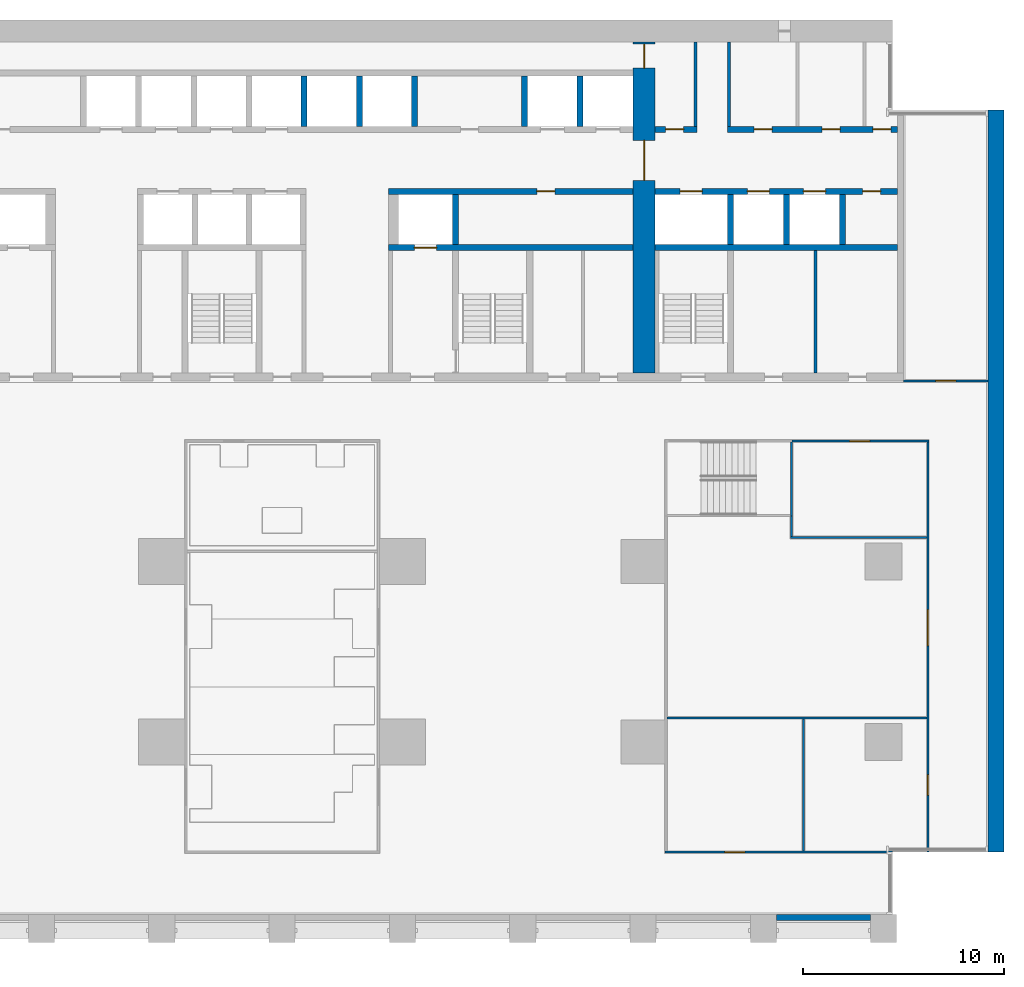
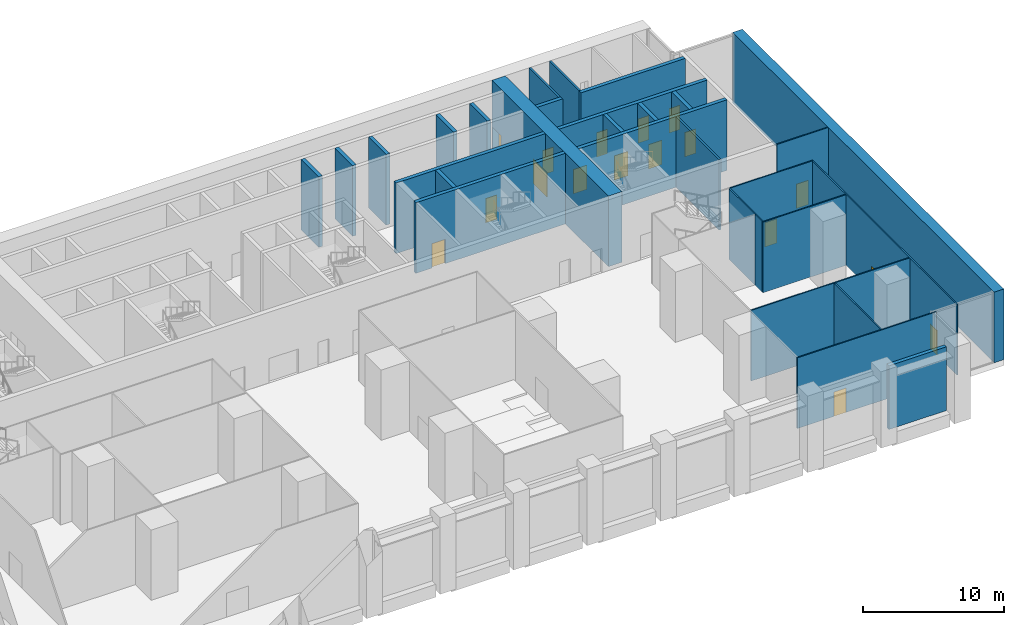
# One storey, part 11 of 18: 30 walls, 17 doors, 17 openings.
"""IFC4 building model written with IfcOpenShell, lengths in metres."""

from ifc_helpers import new_model, si_unit, direction, frame, frame_2d, origin, place, context, subcontext, project, spatial, rectangle, extrude, material, layer, layer_set, type_object, element, fill, save


model = new_model("IFC4")

# Units and contexts
model_context = context("Model", 3, precision=1e-05, world=origin(), true_north=direction((0.0, 1.0)))
body_context = subcontext(model_context, "Body", "Model", "MODEL_VIEW")
ifc_project = project(units=[si_unit("LENGTHUNIT", "METRE"), si_unit("AREAUNIT", "SQUARE_METRE"), si_unit("VOLUMEUNIT", "CUBIC_METRE"), si_unit("PLANEANGLEUNIT", "RADIAN"), si_unit("MASSUNIT", "GRAM", prefix="KILO")], contexts=[model_context])

# Site, building, storey
site_placement = place(None, origin())
site = spatial("IfcSite", under=ifc_project, at=site_placement, CompositionType="ELEMENT")
building_placement = place(site_placement, origin())
building = spatial("IfcBuilding", under=site, at=building_placement, Name="Calvaro Tower", CompositionType="ELEMENT")
storey_placement = place(building_placement, frame((0.0, 0.0, 11.300048828125)))
storey = spatial("IfcBuildingStorey", under=building, at=storey_placement, Name="L02", CompositionType="ELEMENT", Elevation=11.300048828125)

# Walls
ifc_material_1 = material(Name="Blockwork partition", Category="masonry")
ifc_layer_1 = layer(ifc_material_1, 0.14990234375)
ifc_layer_set_1 = layer_set([ifc_layer_1], Name="Blockwork partition")
wall_type_1 = type_object("IfcWallType", Name="Core partition 150 EI 60", PredefinedType="PARTITIONING", material=ifc_layer_set_1)
wall_1_placement = place(storey_placement, frame((68.60009765625, 28.39990234375, 0.0), z_axis=(0.0, 0.0, 1.0), x_axis=(0.0, 1.0, 0.0)))
element("IfcWall", 1, at=wall_1_placement, inside=storey, type_object=wall_type_1, Name="Core partition", PredefinedType="PARTITIONING", context=body_context, shape_type="SweptSolid", body=[
    extrude(rectangle(XDim=6.10009765625, YDim=0.14990234375, at=frame_2d((3.050048828125, 0.0))), origin(), (0.0, 0.0, 1.0), 6.099853515625),
])
ifc_material_2 = material(Name="Blockwork partition", Category="masonry")
ifc_layer_2 = layer(ifc_material_2, 0.14990234375)
ifc_layer_set_2 = layer_set([ifc_layer_2], Name="Blockwork partition")
wall_type_2 = type_object("IfcWallType", Name="Core partition 150 REI 120", PredefinedType="PARTITIONING", material=ifc_layer_set_2)
for number, where, z_axis, x_axis, name in (
    (2, (62.625, 40.699951171875, 0.0), (0.0, 0.0, 1.0), (0.0, 1.0, 0.0), "Core partition"),
    (3, (64.27490234375, 40.699951171875, 0.0), (0.0, 0.0, 1.0), (0.0, 1.0, 0.0), "Core partition"),
):
    element("IfcWall", number, at=place(storey_placement, frame(where, z_axis=z_axis, x_axis=x_axis)), inside=storey, type_object=wall_type_2, Name=name, PredefinedType="PARTITIONING", context=body_context, shape_type="SweptSolid", body=[
        extrude(rectangle(XDim=4.199951171875, YDim=0.14990234375, at=frame_2d((2.10009765625, 0.0))), origin(), (0.0, 0.0, 1.0), 6.099853515625),
    ])

# Wall, opening, door
ifc_material_3 = material(Name="Blockwork partition", Category="masonry")
ifc_layer_3 = layer(ifc_material_3, 0.300048828125)
ifc_layer_set_3 = layer_set([ifc_layer_3], Name="Blockwork partition")
wall_type_3 = type_object("IfcWallType", Name="Core partition 300 REI 120", PredefinedType="PARTITIONING", material=ifc_layer_set_3)
wall_2_placement = place(storey_placement, frame((60.60009765625, 40.550048828125, 0.0), z_axis=(0.0, 0.0, 1.0), x_axis=(1.0, 0.0, 0.0)))
wall_2 = element("IfcWall", 4, at=wall_2_placement, inside=storey, type_object=wall_type_3, Name="Core partition", PredefinedType="PARTITIONING", context=body_context, shape_type="SweptSolid", body=[
    extrude(rectangle(XDim=2.099853515625, YDim=0.300048828125, at=frame_2d((1.0498046875, 0.0))), origin(), (0.0, 0.0, 1.0), 6.099853515625),
])
opening_1_placement = place(wall_2_placement, frame((0.52490234375, 0.0, 0.0)))
opening_1 = element("IfcOpeningElement", 5, at=opening_1_placement, cuts=wall_2, Name="Opening RD9E", PredefinedType="OPENING", context=body_context, shape_type="SweptSolid", body=[
    extrude(rectangle(XDim=0.89990234375, YDim=2.10009765625, at=frame_2d((0.449951171875, 1.050048828125))), frame((0.0, 0.159912109375, 0.0), z_axis=(0.0, -1.0, 0.0), x_axis=(1.0, 0.0, 0.0)), (0.0, 0.0, 1.0), 0.320068359375),
])
ifc_material_4 = material(Name="Steel door set", Category="steel")
door_type_1 = type_object("IfcDoorType", Name="Room door 900 FD60", OperationType="SINGLE_SWING_LEFT", PredefinedType="DOOR", material=ifc_material_4)
door_1_placement = place(opening_1_placement, origin())
door_1 = element("IfcDoor", 6, at=door_1_placement, inside=storey, type_object=door_type_1, Name="Room door", OperationType="SINGLE_SWING_RIGHT", OverallHeight=2.10009765625, OverallWidth=0.89990234375, PredefinedType="DOOR", context=body_context, shape_type="SweptSolid", body=[
    extrude(rectangle(XDim=0.89990234375, YDim=2.10009765625, at=frame_2d((0.449951171875, 1.050048828125))), frame((0.0, 0.02490234375, 0.0), z_axis=(0.0, -1.0, 0.0), x_axis=(1.0, 0.0, 0.0)), (0.0, 0.0, 1.0), 0.050048828125),
])
fill(opening_1, door_1)

# Wall, openings, doors
wall_3_placement = place(storey_placement, frame((64.199951171875, 40.550048828125, 0.0), z_axis=(0.0, 0.0, 1.0), x_axis=(1.0, 0.0, 0.0)))
wall_3 = element("IfcWall", 7, at=wall_3_placement, inside=storey, type_object=wall_type_3, Name="Core partition", PredefinedType="PARTITIONING", context=body_context, shape_type="SweptSolid", body=[
    extrude(rectangle(XDim=8.5, YDim=0.300048828125, at=frame_2d((4.25, 0.0))), origin(), (0.0, 0.0, 1.0), 6.099853515625),
])
opening_2_placement = place(wall_3_placement, frame((1.33740234375, 0.0, 0.0)))
opening_2 = element("IfcOpeningElement", 8, at=opening_2_placement, cuts=wall_3, Name="Opening RD9", PredefinedType="OPENING", context=body_context, shape_type="SweptSolid", body=[
    extrude(rectangle(XDim=0.89990234375, YDim=2.10009765625, at=frame_2d((0.449951171875, 1.050048828125))), frame((0.0, 0.159912109375, 0.0), z_axis=(0.0, -1.0, 0.0), x_axis=(1.0, 0.0, 0.0)), (0.0, 0.0, 1.0), 0.320068359375),
])
opening_3_placement = place(wall_3_placement, frame((4.72509765625, 0.0, 0.0)))
opening_3 = element("IfcOpeningElement", 9, at=opening_3_placement, cuts=wall_3, Name="Opening RD9", PredefinedType="OPENING", context=body_context, shape_type="SweptSolid", body=[
    extrude(rectangle(XDim=0.89990234375, YDim=2.10009765625, at=frame_2d((0.449951171875, 1.050048828125))), frame((0.0, 0.159912109375, 0.0), z_axis=(0.0, -1.0, 0.0), x_axis=(1.0, 0.0, 0.0)), (0.0, 0.0, 1.0), 0.320068359375),
])
opening_4_placement = place(wall_3_placement, frame((7.262451171875, 0.0, 0.0)))
opening_4 = element("IfcOpeningElement", 10, at=opening_4_placement, cuts=wall_3, Name="Opening RD9", PredefinedType="OPENING", context=body_context, shape_type="SweptSolid", body=[
    extrude(rectangle(XDim=0.89990234375, YDim=2.10009765625, at=frame_2d((0.449951171875, 1.050048828125))), frame((0.0, 0.159912109375, 0.0), z_axis=(0.0, -1.0, 0.0), x_axis=(1.0, 0.0, 0.0)), (0.0, 0.0, 1.0), 0.320068359375),
])
ifc_material_5 = material(Name="Steel door set", Category="steel")
door_type_2 = type_object("IfcDoorType", Name="Room door 900", OperationType="SINGLE_SWING_LEFT", PredefinedType="DOOR", material=ifc_material_5)
door_2_placement = place(opening_2_placement, origin())
door_2 = element("IfcDoor", 11, at=door_2_placement, inside=storey, type_object=door_type_2, Name="Room door", OperationType="SINGLE_SWING_LEFT", OverallHeight=2.10009765625, OverallWidth=0.89990234375, PredefinedType="DOOR", context=body_context, shape_type="SweptSolid", body=[
    extrude(rectangle(XDim=0.89990234375, YDim=2.10009765625, at=frame_2d((0.449951171875, 1.050048828125))), frame((0.0, 0.02490234375, 0.0), z_axis=(0.0, -1.0, 0.0), x_axis=(1.0, 0.0, 0.0)), (0.0, 0.0, 1.0), 0.050048828125),
])
fill(opening_2, door_2)
door_3_placement = place(opening_3_placement, origin())
door_3 = element("IfcDoor", 12, at=door_3_placement, inside=storey, type_object=door_type_2, Name="Room door", OperationType="SINGLE_SWING_LEFT", OverallHeight=2.10009765625, OverallWidth=0.89990234375, PredefinedType="DOOR", context=body_context, shape_type="SweptSolid", body=[
    extrude(rectangle(XDim=0.89990234375, YDim=2.10009765625, at=frame_2d((0.449951171875, 1.050048828125))), frame((0.0, 0.02490234375, 0.0), z_axis=(0.0, -1.0, 0.0), x_axis=(1.0, 0.0, 0.0)), (0.0, 0.0, 1.0), 0.050048828125),
])
fill(opening_3, door_3)
door_4_placement = place(opening_4_placement, origin())
door_4 = element("IfcDoor", 13, at=door_4_placement, inside=storey, type_object=door_type_2, Name="Room door", OperationType="SINGLE_SWING_LEFT", OverallHeight=2.10009765625, OverallWidth=0.89990234375, PredefinedType="DOOR", context=body_context, shape_type="SweptSolid", body=[
    extrude(rectangle(XDim=0.89990234375, YDim=2.10009765625, at=frame_2d((0.449951171875, 1.050048828125))), frame((0.0, 0.02490234375, 0.0), z_axis=(0.0, -1.0, 0.0), x_axis=(1.0, 0.0, 0.0)), (0.0, 0.0, 1.0), 0.050048828125),
])
fill(opening_4, door_4)

ifc_material_6 = material(Name="Concrete C80/95", Category="concrete")
ifc_layer_4 = layer(ifc_material_6, 1.10009765625)
ifc_layer_set_4 = layer_set([ifc_layer_4], Name="Concrete C80/95")
wall_type_4 = type_object("IfcWallType", Name="Core wall C80/95 1100", PredefinedType="SHEAR", material=ifc_layer_set_4)
wall_4_placement = place(storey_placement, frame((60.050048828125, 28.39990234375, 0.0), z_axis=(0.0, 0.0, 1.0), x_axis=(0.0, 1.0, 0.0)))
wall_4 = element("IfcWall", 14, at=wall_4_placement, inside=storey, type_object=wall_type_4, Name="Core wall, cross shear wall", PredefinedType="SHEAR", context=body_context, shape_type="SweptSolid", body=[
    extrude(rectangle(XDim=16.5, YDim=1.10009765625, at=frame_2d((8.25, 0.0))), origin(), (0.0, 0.0, 1.0), 6.099853515625),
])
opening_5_placement = place(wall_4_placement, frame((9.60009765625, 0.0, 0.0)))
opening_5 = element("IfcOpeningElement", 15, at=opening_5_placement, cuts=wall_4, Name="Opening DD20D", PredefinedType="OPENING", context=body_context, shape_type="SweptSolid", body=[
    extrude(rectangle(XDim=2.0, YDim=2.10009765625, at=frame_2d((1.0, 1.050048828125))), frame((0.0, 0.56005859375, 0.0), z_axis=(0.0, -1.0, 0.0), x_axis=(1.0, 0.0, 0.0)), (0.0, 0.0, 1.0), 1.1201171875),
])
opening_6_placement = place(wall_4_placement, frame((15.199951171875, 0.0, 0.0)))
opening_6 = element("IfcOpeningElement", 16, at=opening_6_placement, cuts=wall_4, Name="Opening FD12C", PredefinedType="OPENING", context=body_context, shape_type="SweptSolid", body=[
    extrude(rectangle(XDim=1.199951171875, YDim=2.10009765625, at=frame_2d((0.60009765625, 1.050048828125))), frame((0.0, 0.56005859375, 0.0), z_axis=(0.0, -1.0, 0.0), x_axis=(1.0, 0.0, 0.0)), (0.0, 0.0, 1.0), 1.1201171875),
])
ifc_material_7 = material(Name="Steel door set", Category="steel")
door_type_3 = type_object("IfcDoorType", Name="Fire door 1200 FD30", OperationType="SINGLE_SWING_LEFT", PredefinedType="DOOR", material=ifc_material_7)
door_5_placement = place(opening_6_placement, origin())
door_5 = element("IfcDoor", 17, at=door_5_placement, inside=storey, type_object=door_type_3, Name="Fire door", OperationType="SINGLE_SWING_RIGHT", OverallHeight=2.10009765625, OverallWidth=1.199951171875, PredefinedType="DOOR", context=body_context, shape_type="SweptSolid", body=[
    extrude(rectangle(XDim=1.199951171875, YDim=2.10009765625, at=frame_2d((0.60009765625, 1.050048828125))), frame((0.0, 0.02490234375, 0.0), z_axis=(0.0, -1.0, 0.0), x_axis=(1.0, 0.0, 0.0)), (0.0, 0.0, 1.0), 0.050048828125),
])
fill(opening_6, door_5)
ifc_material_8 = material(Name="Steel door set", Category="steel")
door_type_4 = type_object("IfcDoorType", Name="Lobby double door 2000 FD30S", OperationType="DOUBLE_DOOR_SINGLE_SWING", PredefinedType="DOOR", material=ifc_material_8)
door_6_placement = place(opening_5_placement, origin())
door_6 = element("IfcDoor", 18, at=door_6_placement, inside=storey, type_object=door_type_4, Name="Lobby double door", OperationType="DOUBLE_DOOR_SINGLE_SWING", OverallHeight=2.10009765625, OverallWidth=2.0, PredefinedType="DOOR", context=body_context, shape_type="SweptSolid", body=[
    extrude(rectangle(XDim=2.0, YDim=2.10009765625, at=frame_2d((1.0, 1.050048828125))), frame((0.0, 0.02490234375, 0.0), z_axis=(0.0, -1.0, 0.0), x_axis=(1.0, 0.0, 0.0)), (0.0, 0.0, 1.0), 0.050048828125),
])
fill(opening_5, door_6)

# Wall
ifc_material_9 = material(Name="Concrete C80/95", Category="concrete")
ifc_layer_5 = layer(ifc_material_9, 0.300048828125)
ifc_layer_set_5 = layer_set([ifc_layer_5], Name="Concrete C80/95")
wall_type_5 = type_object("IfcWallType", Name="Core wall C80/95 300", PredefinedType="SHEAR", material=ifc_layer_set_5)
wall_5_placement = place(storey_placement, frame((64.35009765625, 34.800048828125, 0.0), z_axis=(0.0, 0.0, 1.0), x_axis=(0.0, 1.0, 0.0)))
element("IfcWall", 19, at=wall_5_placement, inside=storey, type_object=wall_type_5, Name="Core wall, lift shaft", PredefinedType="SHEAR", context=body_context, shape_type="SweptSolid", body=[
    extrude(rectangle(XDim=2.5, YDim=0.300048828125, at=frame_2d((1.25, 0.0))), origin(), (0.0, 0.0, 1.0), 6.099853515625),
])

# Wall, opening, door
wall_6_placement = place(storey_placement, frame((47.300048828125, 34.64990234375, 0.0), z_axis=(0.0, 0.0, 1.0), x_axis=(1.0, 0.0, 0.0)))
wall_6 = element("IfcWall", 20, at=wall_6_placement, inside=storey, type_object=wall_type_5, Name="Core wall, lift shaft", PredefinedType="SHEAR", context=body_context, shape_type="SweptSolid", body=[
    extrude(rectangle(XDim=12.199951171875, YDim=0.300048828125, at=frame_2d((6.10009765625, 0.0))), origin(), (0.0, 0.0, 1.0), 6.099853515625),
])
opening_7_placement = place(wall_6_placement, frame((1.300048828125, 0.0, 0.0)))
opening_7 = element("IfcOpeningElement", 21, at=opening_7_placement, cuts=wall_6, Name="Opening FF2", PredefinedType="OPENING", context=body_context, shape_type="SweptSolid", body=[
    extrude(rectangle(XDim=1.10009765625, YDim=2.10009765625, at=frame_2d((0.550048828125, 1.050048828125))), frame((0.0, 0.159912109375, 0.0), z_axis=(0.0, -1.0, 0.0), x_axis=(1.0, 0.0, 0.0)), (0.0, 0.0, 1.0), 0.320068359375),
])
ifc_material_10 = material(Name="Stainless steel", Category="steel")
door_type_5 = type_object("IfcDoorType", Name="Landing door 1100 E 60", OperationType="SLIDING_TO_LEFT", PredefinedType="DOOR", material=ifc_material_10)
door_7_placement = place(opening_7_placement, origin())
door_7 = element("IfcDoor", 22, at=door_7_placement, inside=storey, type_object=door_type_5, Name="Landing door FF2", OperationType="SLIDING_TO_LEFT", OverallHeight=2.10009765625, OverallWidth=1.10009765625, PredefinedType="DOOR", context=body_context, shape_type="SweptSolid", body=[
    extrude(rectangle(XDim=1.10009765625, YDim=2.10009765625, at=frame_2d((0.550048828125, 1.050048828125))), frame((0.0, 0.02490234375, 0.0), z_axis=(0.0, -1.0, 0.0), x_axis=(1.0, 0.0, 0.0)), (0.0, 0.0, 1.0), 0.050048828125),
])
fill(opening_7, door_7)

# Wall
wall_7_placement = place(storey_placement, frame((60.60009765625, 34.64990234375, 0.0), z_axis=(0.0, 0.0, 1.0), x_axis=(1.0, 0.0, 0.0)))
element("IfcWall", 23, at=wall_7_placement, inside=storey, type_object=wall_type_5, Name="Core wall, lift shaft", PredefinedType="SHEAR", context=body_context, shape_type="SweptSolid", body=[
    extrude(rectangle(XDim=12.099853515625, YDim=0.300048828125, at=frame_2d((6.0498046875, 0.0))), origin(), (0.0, 0.0, 1.0), 6.099853515625),
])

# Wall, opening, door
wall_8_placement = place(storey_placement, frame((59.5, 37.449951171875, 0.0), z_axis=(0.0, 0.0, 1.0), x_axis=(-1.0, 0.0, 0.0)))
wall_8 = element("IfcWall", 24, at=wall_8_placement, inside=storey, type_object=wall_type_5, Name="Core wall, bay", PredefinedType="SHEAR", context=body_context, shape_type="SweptSolid", body=[
    extrude(rectangle(XDim=12.199951171875, YDim=0.300048828125, at=frame_2d((6.10009765625, 0.0))), origin(), (0.0, 0.0, 1.0), 6.099853515625),
])
opening_8_placement = place(wall_8_placement, frame((3.89990234375, 0.0, 0.0)))
opening_8 = element("IfcOpeningElement", 25, at=opening_8_placement, cuts=wall_8, Name="Opening RD9E", PredefinedType="OPENING", context=body_context, shape_type="SweptSolid", body=[
    extrude(rectangle(XDim=0.89990234375, YDim=2.10009765625, at=frame_2d((0.449951171875, 1.050048828125))), frame((0.0, 0.159912109375, 0.0), z_axis=(0.0, -1.0, 0.0), x_axis=(1.0, 0.0, 0.0)), (0.0, 0.0, 1.0), 0.320068359375),
])
door_8_placement = place(opening_8_placement, origin())
door_8 = element("IfcDoor", 26, at=door_8_placement, inside=storey, type_object=door_type_1, Name="Room door", OperationType="SINGLE_SWING_RIGHT", OverallHeight=2.10009765625, OverallWidth=0.89990234375, PredefinedType="DOOR", context=body_context, shape_type="SweptSolid", body=[
    extrude(rectangle(XDim=0.89990234375, YDim=2.10009765625, at=frame_2d((0.449951171875, 1.050048828125))), frame((0.0, 0.02490234375, 0.0), z_axis=(0.0, -1.0, 0.0), x_axis=(1.0, 0.0, 0.0)), (0.0, 0.0, 1.0), 0.050048828125),
])
fill(opening_8, door_8)

# Wall, openings, doors
wall_9_placement = place(storey_placement, frame((72.699951171875, 37.449951171875, 0.0), z_axis=(0.0, 0.0, 1.0), x_axis=(-1.0, 0.0, 0.0)))
wall_9 = element("IfcWall", 27, at=wall_9_placement, inside=storey, type_object=wall_type_5, Name="Core wall, bay", PredefinedType="SHEAR", context=body_context, shape_type="SweptSolid", body=[
    extrude(rectangle(XDim=12.099853515625, YDim=0.300048828125, at=frame_2d((6.0498046875, 0.0))), origin(), (0.0, 0.0, 1.0), 6.099853515625),
])
opening_9_placement = place(wall_9_placement, frame((0.85009765625, 0.0, 0.0)))
opening_9 = element("IfcOpeningElement", 28, at=opening_9_placement, cuts=wall_9, Name="Opening RD9E", PredefinedType="OPENING", context=body_context, shape_type="SweptSolid", body=[
    extrude(rectangle(XDim=0.89990234375, YDim=2.10009765625, at=frame_2d((0.449951171875, 1.050048828125))), frame((0.0, 0.159912109375, 0.0), z_axis=(0.0, -1.0, 0.0), x_axis=(1.0, 0.0, 0.0)), (0.0, 0.0, 1.0), 0.320068359375),
])
opening_10_placement = place(wall_9_placement, frame((9.75, 0.0, 0.0)))
opening_10 = element("IfcOpeningElement", 29, at=opening_10_placement, cuts=wall_9, Name="Opening FF3", PredefinedType="OPENING", context=body_context, shape_type="SweptSolid", body=[
    extrude(rectangle(XDim=1.10009765625, YDim=2.10009765625, at=frame_2d((0.550048828125, 1.050048828125))), frame((0.0, 0.159912109375, 0.0), z_axis=(0.0, -1.0, 0.0), x_axis=(1.0, 0.0, 0.0)), (0.0, 0.0, 1.0), 0.320068359375),
])
opening_11_placement = place(wall_9_placement, frame((6.39990234375, 0.0, 0.0)))
opening_11 = element("IfcOpeningElement", 30, at=opening_11_placement, cuts=wall_9, Name="Opening PD1", PredefinedType="OPENING", context=body_context, shape_type="SweptSolid", body=[
    extrude(rectangle(XDim=1.10009765625, YDim=2.10009765625, at=frame_2d((0.550048828125, 1.050048828125))), frame((0.0, 0.159912109375, 0.0), z_axis=(0.0, -1.0, 0.0), x_axis=(1.0, 0.0, 0.0)), (0.0, 0.0, 1.0), 0.320068359375),
])
opening_12_placement = place(wall_9_placement, frame((3.60009765625, 0.0, 0.0)))
opening_12 = element("IfcOpeningElement", 31, at=opening_12_placement, cuts=wall_9, Name="Opening PD2", PredefinedType="OPENING", context=body_context, shape_type="SweptSolid", body=[
    extrude(rectangle(XDim=1.10009765625, YDim=2.10009765625, at=frame_2d((0.550048828125, 1.050048828125))), frame((0.0, 0.159912109375, 0.0), z_axis=(0.0, -1.0, 0.0), x_axis=(1.0, 0.0, 0.0)), (0.0, 0.0, 1.0), 0.320068359375),
])
door_9_placement = place(opening_10_placement, origin())
door_9 = element("IfcDoor", 32, at=door_9_placement, inside=storey, type_object=door_type_5, Name="Landing door FF3", OperationType="SLIDING_TO_LEFT", OverallHeight=2.10009765625, OverallWidth=1.10009765625, PredefinedType="DOOR", context=body_context, shape_type="SweptSolid", body=[
    extrude(rectangle(XDim=1.10009765625, YDim=2.10009765625, at=frame_2d((0.550048828125, 1.050048828125))), frame((0.0, 0.02490234375, 0.0), z_axis=(0.0, -1.0, 0.0), x_axis=(1.0, 0.0, 0.0)), (0.0, 0.0, 1.0), 0.050048828125),
])
fill(opening_10, door_9)
door_10_placement = place(opening_11_placement, origin())
door_10 = element("IfcDoor", 33, at=door_10_placement, inside=storey, type_object=door_type_5, Name="Landing door PD1", OperationType="SLIDING_TO_LEFT", OverallHeight=2.10009765625, OverallWidth=1.10009765625, PredefinedType="DOOR", context=body_context, shape_type="SweptSolid", body=[
    extrude(rectangle(XDim=1.10009765625, YDim=2.10009765625, at=frame_2d((0.550048828125, 1.050048828125))), frame((0.0, 0.02490234375, 0.0), z_axis=(0.0, -1.0, 0.0), x_axis=(1.0, 0.0, 0.0)), (0.0, 0.0, 1.0), 0.050048828125),
])
fill(opening_11, door_10)
door_11_placement = place(opening_12_placement, origin())
door_11 = element("IfcDoor", 34, at=door_11_placement, inside=storey, type_object=door_type_5, Name="Landing door PD2", OperationType="SLIDING_TO_LEFT", OverallHeight=2.10009765625, OverallWidth=1.10009765625, PredefinedType="DOOR", context=body_context, shape_type="SweptSolid", body=[
    extrude(rectangle(XDim=1.10009765625, YDim=2.10009765625, at=frame_2d((0.550048828125, 1.050048828125))), frame((0.0, 0.02490234375, 0.0), z_axis=(0.0, -1.0, 0.0), x_axis=(1.0, 0.0, 0.0)), (0.0, 0.0, 1.0), 0.050048828125),
])
fill(opening_12, door_11)
door_12_placement = place(opening_9_placement, origin())
door_12 = element("IfcDoor", 35, at=door_12_placement, inside=storey, type_object=door_type_1, Name="Room door", OperationType="SINGLE_SWING_LEFT", OverallHeight=2.10009765625, OverallWidth=0.89990234375, PredefinedType="DOOR", context=body_context, shape_type="SweptSolid", body=[
    extrude(rectangle(XDim=0.89990234375, YDim=2.10009765625, at=frame_2d((0.449951171875, 1.050048828125))), frame((0.0, 0.02490234375, 0.0), z_axis=(0.0, -1.0, 0.0), x_axis=(1.0, 0.0, 0.0)), (0.0, 0.0, 1.0), 0.050048828125),
])
fill(opening_9, door_12)

# Walls
for number, where, z_axis, x_axis, name in (
    (36, (50.64990234375, 34.800048828125, 0.0), (0.0, 0.0, 1.0), (0.0, 1.0, 0.0), "Core wall, lift shaft"),
    (37, (43.10009765625, 40.699951171875, 0.0), (0.0, 0.0, 1.0), (0.0, 1.0, 0.0), "Core wall, lift shaft"),
    (38, (45.85009765625, 40.699951171875, 0.0), (0.0, 0.0, 1.0), (0.0, 1.0, 0.0), "Core wall, lift shaft"),
    (39, (48.60009765625, 40.699951171875, 0.0), (0.0, 0.0, 1.0), (0.0, 1.0, 0.0), "Core wall, lift shaft"),
    (40, (54.10009765625, 40.699951171875, 0.0), (0.0, 0.0, 1.0), (0.0, 1.0, 0.0), "Core wall, lift shaft"),
    (41, (56.85009765625, 40.699951171875, 0.0), (0.0, 0.0, 1.0), (0.0, 1.0, 0.0), "Core wall, lift shaft"),
    (42, (67.14990234375, 34.800048828125, 0.0), (0.0, 0.0, 1.0), (0.0, 1.0, 0.0), "Core wall, lift shaft"),
    (43, (69.949951171875, 34.800048828125, 0.0), (0.0, 0.0, 1.0), (0.0, 1.0, 0.0), "Core wall, lift shaft"),
):
    element("IfcWall", number, at=place(storey_placement, frame(where, z_axis=z_axis, x_axis=x_axis)), inside=storey, type_object=wall_type_5, Name=name, PredefinedType="SHEAR", context=body_context, shape_type="SweptSolid", body=[
        extrude(rectangle(XDim=2.5, YDim=0.300048828125, at=frame_2d((1.25, 0.0))), origin(), (0.0, 0.0, 1.0), 6.099853515625),
    ])
ifc_material_11 = material(Name="Concrete C80/95", Category="concrete")
ifc_layer_6 = layer(ifc_material_11, 0.800048828125)
ifc_layer_set_6 = layer_set([ifc_layer_6], Name="Concrete C80/95")
wall_type_6 = type_object("IfcWallType", Name="End wall 800 C80/95", PredefinedType="SHEAR", material=ifc_layer_set_6)
wall_10_placement = place(storey_placement, frame((77.60009765625, 4.5, 0.0), z_axis=(0.0, 0.0, 1.0), x_axis=(0.0, 1.0, 0.0)))
element("IfcWall", 44, at=wall_10_placement, inside=storey, type_object=wall_type_6, Name="End shear wall", PredefinedType="SHEAR", context=body_context, shape_type="SweptSolid", body=[
    extrude(rectangle(XDim=37.0, YDim=0.800048828125, at=frame_2d((18.5, 0.0))), origin(), (0.0, 0.0, 1.0), 6.099853515625),
])

# Wall, openings, doors
ifc_material_12 = material(Name="Plasterboard on steel studs", Category="steel")
ifc_layer_7 = layer(ifc_material_12, 0.10009765625)
ifc_layer_set_7 = layer_set([ifc_layer_7], Name="Plasterboard on steel studs")
wall_type_7 = type_object("IfcWallType", Name="Partition 100", PredefinedType="PARTITIONING", material=ifc_layer_set_7)
wall_11_placement = place(storey_placement, frame((74.199951171875, 4.5, 0.0), z_axis=(0.0, 0.0, 1.0), x_axis=(0.0, 1.0, 0.0)))
wall_11 = element("IfcWall", 45, at=wall_11_placement, inside=storey, type_object=wall_type_7, Name="Partition T05.W032", PredefinedType="PARTITIONING", context=body_context, shape_type="SweptSolid", body=[
    extrude(rectangle(XDim=20.449951171875, YDim=0.10009765625, at=frame_2d((10.22509765625, 0.0))), origin(), (0.0, 0.0, 1.0), 6.099853515625),
])
opening_13_placement = place(wall_11_placement, frame((2.85009765625, 0.0, 0.0)))
opening_13 = element("IfcOpeningElement", 46, at=opening_13_placement, cuts=wall_11, Name="Opening T05.003", PredefinedType="OPENING", context=body_context, shape_type="SweptSolid", body=[
    extrude(rectangle(XDim=1.0, YDim=2.10009765625, at=frame_2d((0.5, 1.050048828125))), frame((0.0, 0.06005859375, 0.0), z_axis=(0.0, -1.0, 0.0), x_axis=(1.0, 0.0, 0.0)), (0.0, 0.0, 1.0), 0.1201171875),
])
opening_14_placement = place(wall_11_placement, frame((10.300048828125, 0.0, 0.0)))
opening_14 = element("IfcOpeningElement", 47, at=opening_14_placement, cuts=wall_11, Name="Opening T05.009", PredefinedType="OPENING", context=body_context, shape_type="SweptSolid", body=[
    extrude(rectangle(XDim=1.800048828125, YDim=2.10009765625, at=frame_2d((0.89990234375, 1.050048828125))), frame((0.0, 0.06005859375, 0.0), z_axis=(0.0, -1.0, 0.0), x_axis=(1.0, 0.0, 0.0)), (0.0, 0.0, 1.0), 0.1201171875),
])
ifc_material_13 = material(Name="Timber", Category="wood")
door_type_6 = type_object("IfcDoorType", Name="Internal double door 1800 x 2100", OperationType="DOUBLE_DOOR_SINGLE_SWING", PredefinedType="DOOR", material=ifc_material_13)
door_13_placement = place(opening_14_placement, origin())
door_13 = element("IfcDoor", 48, at=door_13_placement, inside=storey, type_object=door_type_6, Name="Door T05.009", OperationType="DOUBLE_DOOR_SINGLE_SWING", OverallHeight=2.10009765625, OverallWidth=1.800048828125, PredefinedType="DOOR", context=body_context, shape_type="SweptSolid", body=[
    extrude(rectangle(XDim=1.800048828125, YDim=2.10009765625, at=frame_2d((0.89990234375, 1.050048828125))), frame((0.0, 0.02490234375, 0.0), z_axis=(0.0, -1.0, 0.0), x_axis=(1.0, 0.0, 0.0)), (0.0, 0.0, 1.0), 0.050048828125),
])
fill(opening_14, door_13)
ifc_material_14 = material(Name="Timber", Category="wood")
door_type_7 = type_object("IfcDoorType", Name="Internal single door 1000 x 2100", OperationType="SINGLE_SWING_LEFT", PredefinedType="DOOR", material=ifc_material_14)
door_14_placement = place(opening_13_placement, origin())
door_14 = element("IfcDoor", 49, at=door_14_placement, inside=storey, type_object=door_type_7, Name="Door T05.003", OperationType="SINGLE_SWING_LEFT", OverallHeight=2.10009765625, OverallWidth=1.0, PredefinedType="DOOR", context=body_context, shape_type="SweptSolid", body=[
    extrude(rectangle(XDim=1.0, YDim=2.10009765625, at=frame_2d((0.5, 1.050048828125))), frame((0.0, 0.02490234375, 0.0), z_axis=(0.0, -1.0, 0.0), x_axis=(1.0, 0.0, 0.0)), (0.0, 0.0, 1.0), 0.050048828125),
])
fill(opening_13, door_14)

# Wall, opening, door
ifc_material_15 = material(Name="Plasterboard on steel studs", Category="steel")
ifc_layer_8 = layer(ifc_material_15, 0.10009765625)
ifc_layer_set_8 = layer_set([ifc_layer_8], Name="Plasterboard on steel studs")
wall_type_8 = type_object("IfcWallType", Name="Partition 100 EI 60", PredefinedType="PARTITIONING", material=ifc_layer_set_8)
wall_12_placement = place(storey_placement, frame((61.10009765625, 4.5, 0.0), z_axis=(0.0, 0.0, 1.0), x_axis=(1.0, 0.0, 0.0)))
wall_12 = element("IfcWall", 50, at=wall_12_placement, inside=storey, type_object=wall_type_8, Name="Partition T05.W003", PredefinedType="PARTITIONING", context=body_context, shape_type="SweptSolid", body=[
    extrude(rectangle(XDim=11.349853515625, YDim=0.10009765625, at=frame_2d((5.6748046875, 0.0))), origin(), (0.0, 0.0, 1.0), 6.099853515625),
])
opening_15_placement = place(wall_12_placement, frame((2.97509765625, 0.0, 0.0)))
opening_15 = element("IfcOpeningElement", 51, at=opening_15_placement, cuts=wall_12, Name="Opening T05.002", PredefinedType="OPENING", context=body_context, shape_type="SweptSolid", body=[
    extrude(rectangle(XDim=1.0, YDim=2.10009765625, at=frame_2d((0.5, 1.050048828125))), frame((0.0, 0.06005859375, 0.0), z_axis=(0.0, -1.0, 0.0), x_axis=(1.0, 0.0, 0.0)), (0.0, 0.0, 1.0), 0.1201171875),
])
ifc_material_16 = material(Name="Timber", Category="wood")
door_type_8 = type_object("IfcDoorType", Name="Internal single door 1000 x 2100 FD30", OperationType="SINGLE_SWING_LEFT", PredefinedType="DOOR", material=ifc_material_16)
door_15_placement = place(opening_15_placement, origin())
door_15 = element("IfcDoor", 52, at=door_15_placement, inside=storey, type_object=door_type_8, Name="Door T05.002", OperationType="SINGLE_SWING_LEFT", OverallHeight=2.10009765625, OverallWidth=1.0, PredefinedType="DOOR", context=body_context, shape_type="SweptSolid", body=[
    extrude(rectangle(XDim=1.0, YDim=2.10009765625, at=frame_2d((0.5, 1.050048828125))), frame((0.0, 0.02490234375, 0.0), z_axis=(0.0, -1.0, 0.0), x_axis=(1.0, 0.0, 0.0)), (0.0, 0.0, 1.0), 0.050048828125),
])
fill(opening_15, door_15)

# Walls
wall_13_placement = place(storey_placement, frame((61.199951171875, 11.199951171875, 0.0), z_axis=(0.0, 0.0, 1.0), x_axis=(1.0, 0.0, 0.0)))
element("IfcWall", 53, at=wall_13_placement, inside=storey, type_object=wall_type_8, Name="Partition T05.W005", PredefinedType="PARTITIONING", context=body_context, shape_type="SweptSolid", body=[
    extrude(rectangle(XDim=12.949951171875, YDim=0.10009765625, at=frame_2d((6.47509765625, 0.0))), origin(), (0.0, 0.0, 1.0), 6.099853515625),
])
wall_14_placement = place(storey_placement, frame((67.35009765625, 20.199951171875, 0.0), z_axis=(0.0, 0.0, 1.0), x_axis=(1.0, 0.0, 0.0)))
element("IfcWall", 54, at=wall_14_placement, inside=storey, type_object=wall_type_8, Name="Partition T05.W008", PredefinedType="PARTITIONING", context=body_context, shape_type="SweptSolid", body=[
    extrude(rectangle(XDim=6.7998046875, YDim=0.10009765625, at=frame_2d((3.39990234375, 0.0))), origin(), (0.0, 0.0, 1.0), 6.099853515625),
])

# Wall, opening, door
wall_15_placement = place(storey_placement, frame((67.43994140625, 25.0, 0.0), z_axis=(0.0, 0.0, 1.0), x_axis=(1.0, 0.0, 0.0)))
wall_15 = element("IfcWall", 55, at=wall_15_placement, inside=storey, type_object=wall_type_8, Name="Partition T05.W015", PredefinedType="PARTITIONING", context=body_context, shape_type="SweptSolid", body=[
    extrude(rectangle(XDim=6.81005859375, YDim=0.10009765625, at=frame_2d((3.405029296875, 0.0))), origin(), (0.0, 0.0, 1.0), 6.099853515625),
])
opening_16_placement = place(wall_15_placement, frame((2.860107421875, 0.0, 0.0)))
opening_16 = element("IfcOpeningElement", 56, at=opening_16_placement, cuts=wall_15, Name="Opening T05.015", PredefinedType="OPENING", context=body_context, shape_type="SweptSolid", body=[
    extrude(rectangle(XDim=1.0, YDim=2.10009765625, at=frame_2d((0.5, 1.050048828125))), frame((0.0, 0.06005859375, 0.0), z_axis=(0.0, -1.0, 0.0), x_axis=(1.0, 0.0, 0.0)), (0.0, 0.0, 1.0), 0.1201171875),
])
door_16_placement = place(opening_16_placement, origin())
door_16 = element("IfcDoor", 57, at=door_16_placement, inside=storey, type_object=door_type_8, Name="Door T05.015", OperationType="SINGLE_SWING_LEFT", OverallHeight=2.10009765625, OverallWidth=1.0, PredefinedType="DOOR", context=body_context, shape_type="SweptSolid", body=[
    extrude(rectangle(XDim=1.0, YDim=2.10009765625, at=frame_2d((0.5, 1.050048828125))), frame((0.0, 0.02490234375, 0.0), z_axis=(0.0, -1.0, 0.0), x_axis=(1.0, 0.0, 0.0)), (0.0, 0.0, 1.0), 0.050048828125),
])
fill(opening_16, door_16)

# Walls
wall_16_placement = place(storey_placement, frame((67.39990234375, 20.25, 0.0), z_axis=(0.0, 0.0, 1.0), x_axis=(0.0, 1.0, 0.0)))
element("IfcWall", 58, at=wall_16_placement, inside=storey, type_object=wall_type_8, Name="Partition T05.W029", PredefinedType="PARTITIONING", context=body_context, shape_type="SweptSolid", body=[
    extrude(rectangle(XDim=1.010009765625, YDim=0.10009765625, at=frame_2d((0.5048828125, 0.0))), origin(), (0.0, 0.0, 1.0), 6.099853515625),
])
wall_17_placement = place(storey_placement, frame((68.0, 4.550048828125, 0.0), z_axis=(0.0, 0.0, 1.0), x_axis=(0.0, 1.0, 0.0)))
element("IfcWall", 59, at=wall_17_placement, inside=storey, type_object=wall_type_8, Name="Partition T05.W031", PredefinedType="PARTITIONING", context=body_context, shape_type="SweptSolid", body=[
    extrude(rectangle(XDim=6.599853515625, YDim=0.10009765625, at=frame_2d((3.2998046875, 0.0))), origin(), (0.0, 0.0, 1.0), 6.099853515625),
])

# Wall, opening, door
ifc_material_17 = material(Name="Plasterboard on steel studs", Category="steel")
ifc_layer_9 = layer(ifc_material_17, 0.10009765625)
ifc_layer_set_9 = layer_set([ifc_layer_9], Name="Plasterboard on steel studs")
wall_type_9 = type_object("IfcWallType", Name="Partition 100 REI 120", PredefinedType="PARTITIONING", material=ifc_layer_set_9)
wall_18_placement = place(storey_placement, frame((73.0, 28.0, 0.0), z_axis=(0.0, 0.0, 1.0), x_axis=(1.0, 0.0, 0.0)))
wall_18 = element("IfcWall", 60, at=wall_18_placement, inside=storey, type_object=wall_type_9, Name="Partition T05.W017", PredefinedType="PARTITIONING", context=body_context, shape_type="SweptSolid", body=[
    extrude(rectangle(XDim=4.199951171875, YDim=0.10009765625, at=frame_2d((2.10009765625, 0.0))), origin(), (0.0, 0.0, 1.0), 6.099853515625),
])
opening_17_placement = place(wall_18_placement, frame((1.60009765625, 0.0, 0.0)))
opening_17 = element("IfcOpeningElement", 61, at=opening_17_placement, cuts=wall_18, Name="Opening T05.018", PredefinedType="OPENING", context=body_context, shape_type="SweptSolid", body=[
    extrude(rectangle(XDim=1.0, YDim=2.10009765625, at=frame_2d((0.5, 1.050048828125))), frame((0.0, 0.06005859375, 0.0), z_axis=(0.0, -1.0, 0.0), x_axis=(1.0, 0.0, 0.0)), (0.0, 0.0, 1.0), 0.1201171875),
])
ifc_material_18 = material(Name="Timber", Category="wood")
door_type_9 = type_object("IfcDoorType", Name="Internal single door 1000 x 2100 FD60", OperationType="SINGLE_SWING_LEFT", PredefinedType="DOOR", material=ifc_material_18)
door_17_placement = place(opening_17_placement, origin())
door_17 = element("IfcDoor", 62, at=door_17_placement, inside=storey, type_object=door_type_9, Name="Door T05.018", OperationType="SINGLE_SWING_LEFT", OverallHeight=2.10009765625, OverallWidth=1.0, PredefinedType="DOOR", context=body_context, shape_type="SweptSolid", body=[
    extrude(rectangle(XDim=1.0, YDim=2.10009765625, at=frame_2d((0.5, 1.050048828125))), frame((0.0, 0.02490234375, 0.0), z_axis=(0.0, -1.0, 0.0), x_axis=(1.0, 0.0, 0.0)), (0.0, 0.0, 1.0), 0.050048828125),
])
fill(opening_17, door_17)

# Walls
ifc_material_19 = material(Name="Concrete C40/50", Category="concrete")
ifc_layer_10 = layer(ifc_material_19, 0.10009765625)
ifc_layer_set_10 = layer_set([ifc_layer_10], Name="Concrete C40/50")
wall_type_10 = type_object("IfcWallType", Name="Stair enclosure wall 100", PredefinedType="SOLIDWALL", material=ifc_layer_set_10)
wall_19_placement = place(storey_placement, frame((67.39990234375, 21.260009765625, 0.0), z_axis=(0.0, 0.0, 1.0), x_axis=(0.0, 1.0, 0.0)))
element("IfcWall", 63, at=wall_19_placement, inside=storey, type_object=wall_type_10, Name="Stair enclosure wall T05.W030", PredefinedType="SOLIDWALL", context=body_context, shape_type="SweptSolid", body=[
    extrude(rectangle(XDim=3.68994140625, YDim=0.10009765625, at=frame_2d((1.844970703125, 0.0))), origin(), (0.0, 0.0, 1.0), 6.099853515625),
])
ifc_material_20 = material(Name="Stone faced masonry", Category="masonry")
ifc_layer_11 = layer(ifc_material_20, 0.300048828125)
ifc_layer_set_11 = layer_set([ifc_layer_11], Name="Stone faced masonry")
wall_type_11 = type_object("IfcWallType", Name="Stone faced wall 300", PredefinedType="SOLIDWALL", material=ifc_layer_set_11)
wall_20_placement = place(storey_placement, frame((66.64990234375, 1.25, 0.0), z_axis=(0.0, 0.0, 1.0), x_axis=(1.0, 0.0, 0.0)))
element("IfcWall", 64, at=wall_20_placement, inside=storey, type_object=wall_type_11, Name="Stone faced wall", PredefinedType="SOLIDWALL", context=body_context, shape_type="SweptSolid", body=[
    extrude(rectangle(XDim=4.7001953125, YDim=0.300048828125, at=frame_2d((2.35009765625, 0.0))), origin(), (0.0, 0.0, 1.0), 5.5),
])

save(model, "model.ifc")
